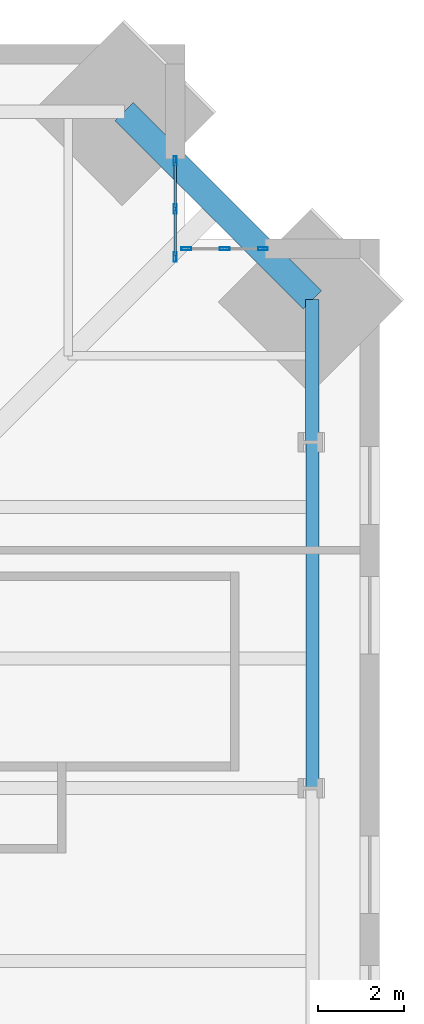
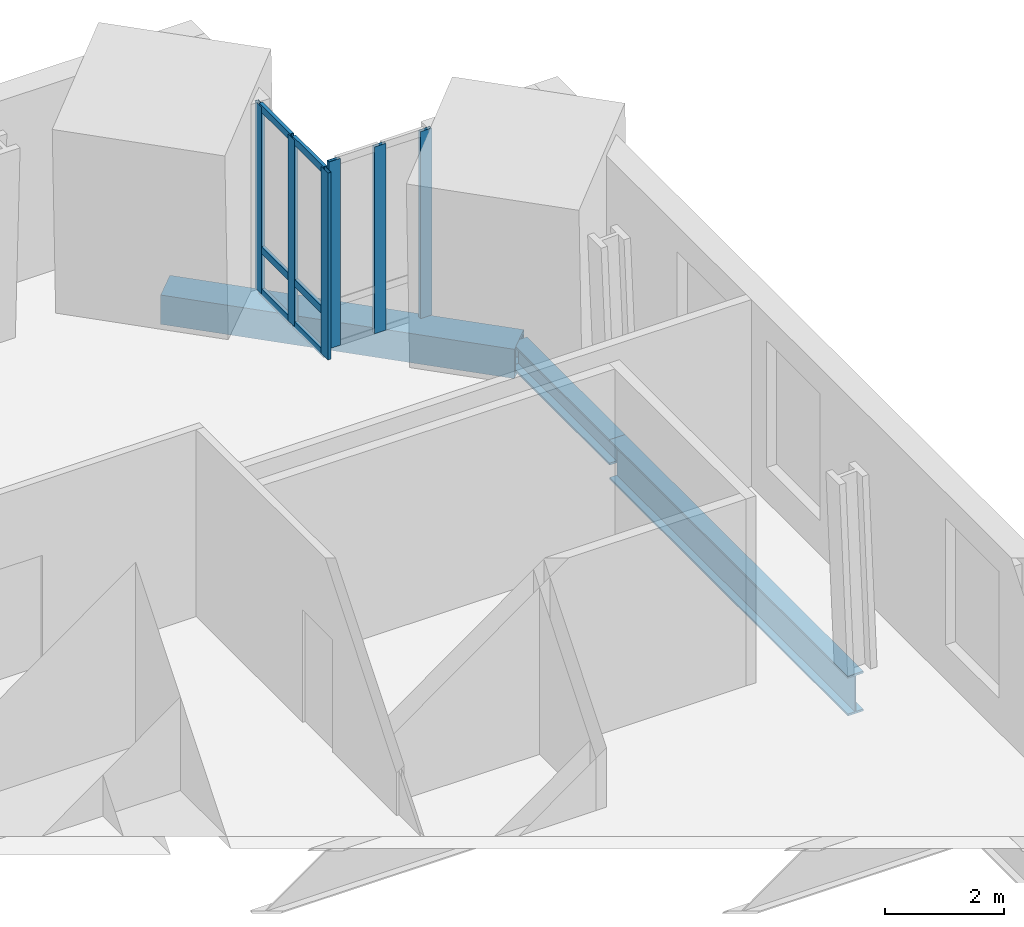
# One storey, part 8 of 15: 12 members, 3 beams, 2 elements without a shape of their own.
"""IFC4 building model written with IfcOpenShell, lengths in metres."""

from ifc_helpers import new_model, si_unit, direction, frame, origin, origin_2d, place, context, subcontext, project, spatial, hollow_rectangle, i_section, extrude, material, material_profile, profile_set, type_object, element, aggregate, save


model = new_model("IFC4")

# Units and contexts
model_context = context("Model", 3, precision=1e-05, world=origin(), true_north=direction((0.0, 1.0)))
body_context = subcontext(model_context, "Body", "Model", "MODEL_VIEW")
ifc_project = project(units=[si_unit("LENGTHUNIT", "METRE"), si_unit("AREAUNIT", "SQUARE_METRE"), si_unit("VOLUMEUNIT", "CUBIC_METRE"), si_unit("PLANEANGLEUNIT", "RADIAN"), si_unit("MASSUNIT", "GRAM", prefix="KILO")], contexts=[model_context])

# Site, building, storey
site_placement = place(None, origin())
site = spatial("IfcSite", under=ifc_project, at=site_placement, CompositionType="ELEMENT")
building_placement = place(site_placement, origin())
building = spatial("IfcBuilding", under=site, at=building_placement, Name="Peilmerk Tower", CompositionType="ELEMENT")
storey_placement = place(building_placement, frame((0.0, 0.0, 179.800048828125)))
storey = spatial("IfcBuildingStorey", under=building, at=storey_placement, Name="L38", CompositionType="ELEMENT", Elevation=179.800048828125)

# Beams
ifc_material_1 = material(Name="Steel S355", Category="steel")
ifc_material_profile_1 = material_profile(ifc_material_1, i_section(OverallWidth=0.302978515625, OverallDepth=0.81396484375, WebThickness=0.02099609375, FlangeThickness=0.0400390625, at=origin_2d()), Name="HEM 800")
ifc_profile_set_1 = profile_set([ifc_material_profile_1], Name="Steel S355")
beam_type_1 = type_object("IfcBeamType", Name="B15 HEM 800 edge beam", PredefinedType="SPANDREL", material=ifc_profile_set_1)
beam_1_placement = place(storey_placement, frame((23.646728515625, 8.0, -0.5771484375), z_axis=(0.0, 1.0, 0.0), x_axis=(-1.0, 0.0, 0.0)))
element("IfcBeam", 1, at=beam_1_placement, inside=storey, type_object=beam_type_1, Name="Edge beam L38", PredefinedType="SPANDREL", context=body_context, shape_type="SweptSolid", body=[
    extrude(i_section(OverallWidth=0.302978515625, OverallDepth=0.81396484375, WebThickness=0.02099609375, FlangeThickness=0.0400390625, at=origin_2d()), origin(), (0.0, 0.0, 1.0), 8.0),
])
ifc_material_2 = material(Name="Steel S460", Category="steel")
ifc_material_profile_2 = material_profile(ifc_material_2, hollow_rectangle(XDim=0.60009765625, YDim=0.60009765625, WallThickness=0.06005859375, at=origin_2d()), Name="BOX 600x600x60")
ifc_profile_set_2 = profile_set([ifc_material_profile_2], Name="Steel S460")
beam_type_2 = type_object("IfcBeamType", Name="B20 BOX 600x600x60 notch beam", PredefinedType="SPANDREL", material=ifc_profile_set_2)
beam_2_placement = place(storey_placement, frame((19.296875, 23.646728515625, -0.469970703125), z_axis=(0.707106781187, -0.707106781187, 0.0), x_axis=(0.707106781187, 0.707106781187, 0.0)))
element("IfcBeam", 2, at=beam_2_placement, inside=storey, type_object=beam_type_2, Name="Notch beam L38", PredefinedType="SPANDREL", context=body_context, shape_type="SweptSolid", body=[
    extrude(hollow_rectangle(XDim=0.60009765625, YDim=0.60009765625, WallThickness=0.06005859375, at=origin_2d()), origin(), (0.0, 0.0, 1.0), 6.151611328125),
])
ifc_material_profile_3 = material_profile(ifc_material_1, i_section(OverallWidth=0.305908203125, OverallDepth=0.52392578125, WebThickness=0.02099609375, FlangeThickness=0.0400390625, at=origin_2d()), Name="HEM 500")
ifc_profile_set_3 = profile_set([ifc_material_profile_3], Name="Steel S355")
beam_type_3 = type_object("IfcBeamType", Name="B33 HEM 500 edge beam", PredefinedType="SPANDREL", material=ifc_profile_set_3)
beam_3_placement = place(storey_placement, frame((23.646728515625, 16.0, -0.43212890625), z_axis=(0.0, 1.0, 0.0), x_axis=(-1.0, 0.0, 0.0)))
element("IfcBeam", 3, at=beam_3_placement, inside=storey, type_object=beam_type_3, Name="Edge beam L38", PredefinedType="SPANDREL", context=body_context, shape_type="SweptSolid", body=[
    extrude(i_section(OverallWidth=0.305908203125, OverallDepth=0.52392578125, WebThickness=0.02099609375, FlangeThickness=0.0400390625, at=origin_2d()), origin(), (0.0, 0.0, 1.0), 3.296875),
])

# Curtain wall, members
ifc_material_3 = material(Name="Aluminium stick curtain wall", Category="aluminium")
curtain_wall_type = type_object("IfcCurtainWallType", Name="CW3 stick curtain wall, 2250 module", PredefinedType="NOTDEFINED", material=ifc_material_3)
curtain_wall_1_placement = place(storey_placement, origin())
curtain_wall_1 = element("IfcCurtainWall", 4, at=curtain_wall_1_placement, inside=storey, type_object=curtain_wall_type, Name="Curtain wall CW3 NEA L38", PredefinedType="NOTDEFINED")
ifc_material_4 = material(Name="Aluminium EN AW-6063 T6", Category="aluminium")
ifc_material_profile_4 = material_profile(ifc_material_4, hollow_rectangle(XDim=0.06494140625, YDim=0.22509765625, WallThickness=0.00390625, at=origin_2d()), Name="AL 225x65x4")
ifc_profile_set_4 = profile_set([ifc_material_profile_4], Name="Aluminium EN AW-6063 T6")
member_type_1 = type_object("IfcMemberType", Name="CW3-M AL 225x65x4 mullion", PredefinedType="MULLION", material=ifc_profile_set_4)
member_1_placement = place(storey_placement, frame((20.47509765625, 20.282470703125, 0.0), z_axis=(0.0, 0.0, 1.0), x_axis=(-1.0, 0.0, 0.0)))
member_1 = element("IfcMember", 5, at=member_1_placement, type_object=member_type_1, Name="CW3 mullion 1", PredefinedType="MULLION", context=body_context, shape_type="SweptSolid", body=[
    extrude(hollow_rectangle(XDim=0.06494140625, YDim=0.22509765625, WallThickness=0.00390625, at=origin_2d()), origin(), (0.0, 0.0, 1.0), 3.829833984375),
])
member_2_placement = place(storey_placement, frame((20.47509765625, 21.394287109375, 0.0), z_axis=(0.0, 0.0, 1.0), x_axis=(-1.0, 0.0, 0.0)))
member_2 = element("IfcMember", 6, at=member_2_placement, type_object=member_type_1, Name="CW3 mullion 2", PredefinedType="MULLION", context=body_context, shape_type="SweptSolid", body=[
    extrude(hollow_rectangle(XDim=0.06494140625, YDim=0.22509765625, WallThickness=0.00390625, at=origin_2d()), origin(), (0.0, 0.0, 1.0), 3.829833984375),
])
member_3_placement = place(storey_placement, frame((20.47509765625, 22.506103515625, 0.0), z_axis=(0.0, 0.0, 1.0), x_axis=(-1.0, 0.0, 0.0)))
member_3 = element("IfcMember", 7, at=member_3_placement, type_object=member_type_1, Name="CW3 mullion 3", PredefinedType="MULLION", context=body_context, shape_type="SweptSolid", body=[
    extrude(hollow_rectangle(XDim=0.06494140625, YDim=0.22509765625, WallThickness=0.00390625, at=origin_2d()), origin(), (0.0, 0.0, 1.0), 3.829833984375),
])

curtain_wall_2_placement = place(storey_placement, origin())
curtain_wall_2 = element("IfcCurtainWall", 8, at=curtain_wall_2_placement, inside=storey, type_object=curtain_wall_type, Name="Curtain wall CW3 NEB L38", PredefinedType="NOTDEFINED")
member_4_placement = place(storey_placement, frame((20.732421875, 20.47509765625, 0.0), z_axis=(0.0, 0.0, 1.0), x_axis=(0.0, 1.0, 0.0)))
member_4 = element("IfcMember", 9, at=member_4_placement, type_object=member_type_1, Name="CW3 mullion 1", PredefinedType="MULLION", context=body_context, shape_type="SweptSolid", body=[
    extrude(hollow_rectangle(XDim=0.06494140625, YDim=0.22509765625, WallThickness=0.00390625, at=origin_2d()), origin(), (0.0, 0.0, 1.0), 3.829833984375),
])
member_5_placement = place(storey_placement, frame((21.619384765625, 20.47509765625, 0.0), z_axis=(0.0, 0.0, 1.0), x_axis=(0.0, 1.0, 0.0)))
member_5 = element("IfcMember", 10, at=member_5_placement, type_object=member_type_1, Name="CW3 mullion 2", PredefinedType="MULLION", context=body_context, shape_type="SweptSolid", body=[
    extrude(hollow_rectangle(XDim=0.06494140625, YDim=0.22509765625, WallThickness=0.00390625, at=origin_2d()), origin(), (0.0, 0.0, 1.0), 3.829833984375),
])
member_6_placement = place(storey_placement, frame((22.506103515625, 20.47509765625, 0.0), z_axis=(0.0, 0.0, 1.0), x_axis=(0.0, 1.0, 0.0)))
member_6 = element("IfcMember", 11, at=member_6_placement, type_object=member_type_1, Name="CW3 mullion 3", PredefinedType="MULLION", context=body_context, shape_type="SweptSolid", body=[
    extrude(hollow_rectangle(XDim=0.06494140625, YDim=0.22509765625, WallThickness=0.00390625, at=origin_2d()), origin(), (0.0, 0.0, 1.0), 3.829833984375),
])
aggregate(curtain_wall_2, [member_4, member_5, member_6])

# Member
ifc_material_profile_5 = material_profile(ifc_material_4, hollow_rectangle(XDim=0.06494140625, YDim=0.14990234375, WallThickness=0.0029296875, at=origin_2d()), Name="AL 150x65x3")
ifc_profile_set_5 = profile_set([ifc_material_profile_5], Name="Aluminium EN AW-6063 T6")
member_type_2 = type_object("IfcMemberType", Name="CW3-T AL 150x65x3 transom", PredefinedType="USERDEFINED", material=ifc_profile_set_5)
member_7_placement = place(storey_placement, frame((20.47509765625, 20.31494140625, 0.032470703125), z_axis=(0.0, 1.0, 0.0), x_axis=(-1.0, 0.0, 0.0)))
member_7 = element("IfcMember", 12, at=member_7_placement, type_object=member_type_2, Name="CW3 transom 1.1", ObjectType="TRANSOM", PredefinedType="USERDEFINED", context=body_context, shape_type="SweptSolid", body=[
    extrude(hollow_rectangle(XDim=0.06494140625, YDim=0.14990234375, WallThickness=0.0029296875, at=origin_2d()), origin(), (0.0, 0.0, 1.0), 1.046875),
])

member_8_placement = place(storey_placement, frame((20.47509765625, 20.31494140625, 0.89990234375), z_axis=(0.0, 1.0, 0.0), x_axis=(-1.0, 0.0, 0.0)))
member_8 = element("IfcMember", 13, at=member_8_placement, type_object=member_type_2, Name="CW3 transom 1.2", ObjectType="TRANSOM", PredefinedType="USERDEFINED", context=body_context, shape_type="SweptSolid", body=[
    extrude(hollow_rectangle(XDim=0.06494140625, YDim=0.14990234375, WallThickness=0.0029296875, at=origin_2d()), origin(), (0.0, 0.0, 1.0), 1.046875),
])

member_9_placement = place(storey_placement, frame((20.47509765625, 20.31494140625, 3.79736328125), z_axis=(0.0, 1.0, 0.0), x_axis=(-1.0, 0.0, 0.0)))
member_9 = element("IfcMember", 14, at=member_9_placement, type_object=member_type_2, Name="CW3 transom 1.3", ObjectType="TRANSOM", PredefinedType="USERDEFINED", context=body_context, shape_type="SweptSolid", body=[
    extrude(hollow_rectangle(XDim=0.06494140625, YDim=0.14990234375, WallThickness=0.0029296875, at=origin_2d()), origin(), (0.0, 0.0, 1.0), 1.046875),
])

member_10_placement = place(storey_placement, frame((20.47509765625, 21.4267578125, 0.032470703125), z_axis=(0.0, 1.0, 0.0), x_axis=(-1.0, 0.0, 0.0)))
member_10 = element("IfcMember", 15, at=member_10_placement, type_object=member_type_2, Name="CW3 transom 2.1", ObjectType="TRANSOM", PredefinedType="USERDEFINED", context=body_context, shape_type="SweptSolid", body=[
    extrude(hollow_rectangle(XDim=0.06494140625, YDim=0.14990234375, WallThickness=0.0029296875, at=origin_2d()), origin(), (0.0, 0.0, 1.0), 1.046875),
])

member_11_placement = place(storey_placement, frame((20.47509765625, 21.4267578125, 0.89990234375), z_axis=(0.0, 1.0, 0.0), x_axis=(-1.0, 0.0, 0.0)))
member_11 = element("IfcMember", 16, at=member_11_placement, type_object=member_type_2, Name="CW3 transom 2.2", ObjectType="TRANSOM", PredefinedType="USERDEFINED", context=body_context, shape_type="SweptSolid", body=[
    extrude(hollow_rectangle(XDim=0.06494140625, YDim=0.14990234375, WallThickness=0.0029296875, at=origin_2d()), origin(), (0.0, 0.0, 1.0), 1.046875),
])

member_12_placement = place(storey_placement, frame((20.47509765625, 21.4267578125, 3.79736328125), z_axis=(0.0, 1.0, 0.0), x_axis=(-1.0, 0.0, 0.0)))
member_12 = element("IfcMember", 17, at=member_12_placement, type_object=member_type_2, Name="CW3 transom 2.3", ObjectType="TRANSOM", PredefinedType="USERDEFINED", context=body_context, shape_type="SweptSolid", body=[
    extrude(hollow_rectangle(XDim=0.06494140625, YDim=0.14990234375, WallThickness=0.0029296875, at=origin_2d()), origin(), (0.0, 0.0, 1.0), 1.046875),
])

aggregate(curtain_wall_1, [member_1, member_2, member_3, member_7, member_8, member_9, member_10, member_11, member_12])

save(model, "model.ifc")
